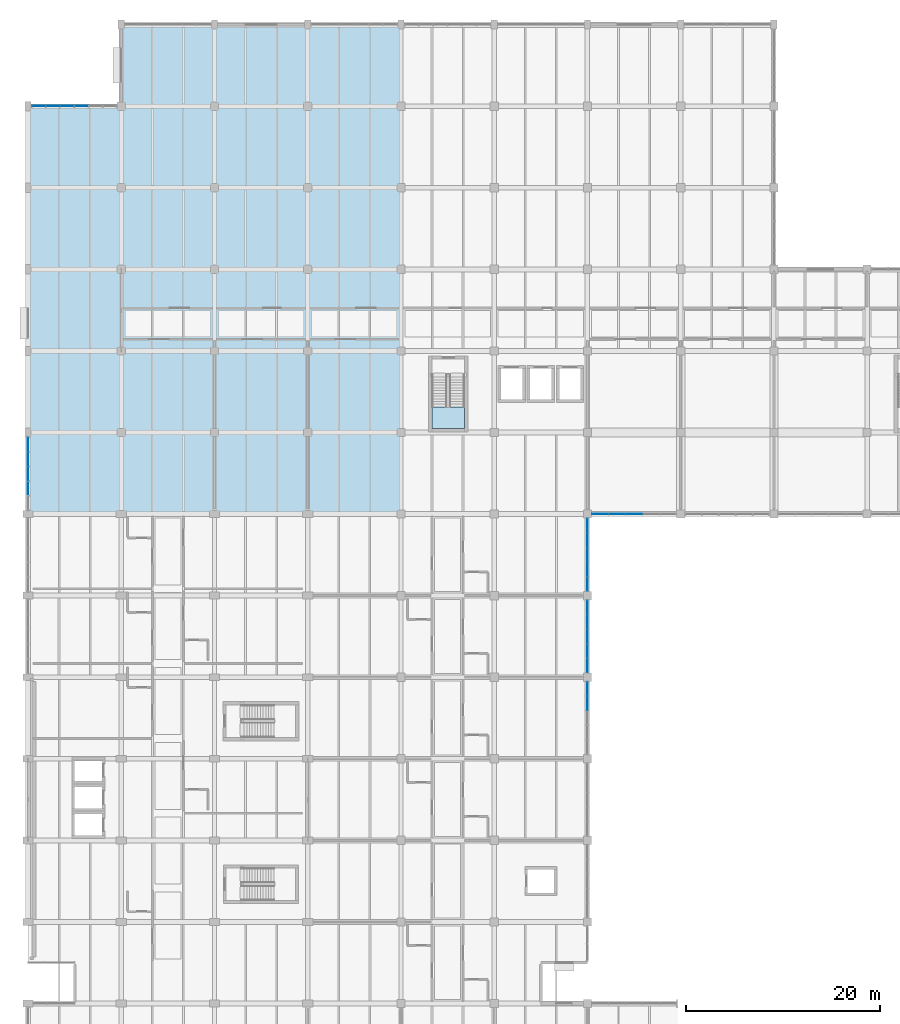
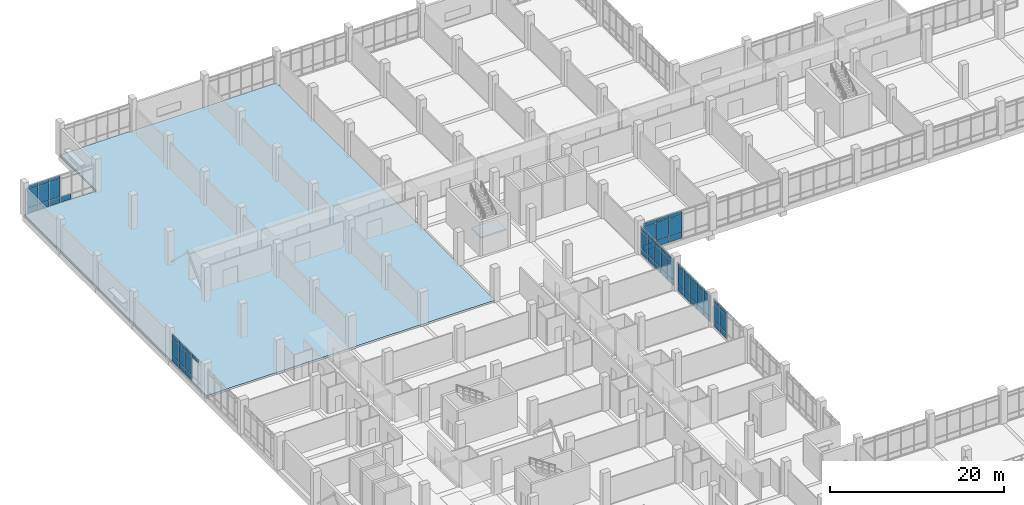
# One storey, part 91 of 152: 65 plates, 2 slabs, 7 elements without a shape of their own.
"""IFC4 building model written with IfcOpenShell, lengths in metres."""

from ifc_helpers import new_model, si_unit, direction, frame, origin, origin_2d, place, context, subcontext, project, spatial, polyline, rectangle, outline, extrude, material, layer, layer_set, type_object, element, aggregate, save


model = new_model("IFC4")

# Units and contexts
model_context = context("Model", 3, precision=1e-05, world=origin(), true_north=direction((0.0, 1.0)))
body_context = subcontext(model_context, "Body", "Model", "MODEL_VIEW")
ifc_project = project(units=[si_unit("LENGTHUNIT", "METRE"), si_unit("AREAUNIT", "SQUARE_METRE"), si_unit("VOLUMEUNIT", "CUBIC_METRE"), si_unit("PLANEANGLEUNIT", "RADIAN"), si_unit("MASSUNIT", "GRAM", prefix="KILO")], contexts=[model_context])

# Site, building, storey
site_placement = place(None, origin())
site = spatial("IfcSite", under=ifc_project, at=site_placement, CompositionType="ELEMENT")
building_placement = place(site_placement, origin())
building = spatial("IfcBuilding", under=site, at=building_placement, Name="Oolite Switchyard Hospital", CompositionType="ELEMENT")
storey_placement = place(building_placement, frame((0.0, 0.0, 5.10009765625)))
storey = spatial("IfcBuildingStorey", under=building, at=storey_placement, Name="L01", CompositionType="ELEMENT", Elevation=5.10009765625)

# Curtain wall, plates
ifc_material_1 = material(Name="Thermally broken aluminum frame with laminated impact glazing", Category="aluminium")
curtain_wall_type_1 = type_object("IfcCurtainWallType", Name="CW-UNIT-96X48", PredefinedType="USERDEFINED", material=ifc_material_1)
curtain_wall_1_placement = place(storey_placement, origin())
curtain_wall_1 = element("IfcCurtainWall", 1, at=curtain_wall_1_placement, inside=storey, type_object=curtain_wall_type_1, Name="L01 Unitised Curtain Wall 151", ObjectType="UNITISED", PredefinedType="USERDEFINED")
ifc_material_2 = material(Name="Insulated fluoropolymer-coated aluminum spandrel panel", Category="aluminium")
ifc_layer_1 = layer(ifc_material_2, 0.054931640625)
ifc_layer_set_1 = layer_set([ifc_layer_1], Name="CW-PNL-SPN55")
plate_type_1 = type_object("IfcPlateType", Name="CW-PNL-SPN55", PredefinedType="CURTAIN_PANEL", material=ifc_layer_set_1)
plate_1_placement = place(storey_placement, frame((1.09375, 126.0, 0.07470703125), z_axis=(0.0, 0.0, 1.0), x_axis=(1.0, 0.0, 0.0)))
plate_1 = element("IfcPlate", 2, at=plate_1_placement, type_object=plate_type_1, Name="CW-02 panel 1.1", PredefinedType="CURTAIN_PANEL", context=body_context, shape_type="SweptSolid", body=[
    extrude(rectangle(XDim=1.357421875, YDim=0.054931640625, at=origin_2d()), origin(), (0.0, 0.0, 1.0), 0.737548828125),
])
plate_2_placement = place(storey_placement, frame((1.09375, 126.0, 0.88720703125), z_axis=(0.0, 0.0, 1.0), x_axis=(1.0, 0.0, 0.0)))
plate_2 = element("IfcPlate", 3, at=plate_2_placement, type_object=plate_type_1, Name="CW-02 panel 1.2", PredefinedType="CURTAIN_PANEL", context=body_context, shape_type="SweptSolid", body=[
    extrude(rectangle(XDim=1.357421875, YDim=0.054931640625, at=origin_2d()), origin(), (0.0, 0.0, 1.0), 2.465087890625),
])
plate_3_placement = place(storey_placement, frame((1.09375, 126.0, 3.427490234375), z_axis=(0.0, 0.0, 1.0), x_axis=(1.0, 0.0, 0.0)))
plate_3 = element("IfcPlate", 4, at=plate_3_placement, type_object=plate_type_1, Name="CW-02 panel 1.3", PredefinedType="CURTAIN_PANEL", context=body_context, shape_type="SweptSolid", body=[
    extrude(rectangle(XDim=1.357421875, YDim=0.054931640625, at=origin_2d()), origin(), (0.0, 0.0, 1.0), 0.4375),
])
plate_4_placement = place(storey_placement, frame((2.544921875, 126.0, 0.07470703125), z_axis=(0.0, 0.0, 1.0), x_axis=(1.0, 0.0, 0.0)))
plate_4 = element("IfcPlate", 5, at=plate_4_placement, type_object=plate_type_1, Name="CW-02 panel 2.1", PredefinedType="CURTAIN_PANEL", context=body_context, shape_type="SweptSolid", body=[
    extrude(rectangle(XDim=1.39501953125, YDim=0.054931640625, at=origin_2d()), origin(), (0.0, 0.0, 1.0), 0.737548828125),
])
plate_5_placement = place(storey_placement, frame((2.544921875, 126.0, 0.88720703125), z_axis=(0.0, 0.0, 1.0), x_axis=(1.0, 0.0, 0.0)))
plate_5 = element("IfcPlate", 6, at=plate_5_placement, type_object=plate_type_1, Name="CW-02 panel 2.2", PredefinedType="CURTAIN_PANEL", context=body_context, shape_type="SweptSolid", body=[
    extrude(rectangle(XDim=1.39501953125, YDim=0.054931640625, at=origin_2d()), origin(), (0.0, 0.0, 1.0), 2.465087890625),
])
plate_6_placement = place(storey_placement, frame((2.544921875, 126.0, 3.427490234375), z_axis=(0.0, 0.0, 1.0), x_axis=(1.0, 0.0, 0.0)))
plate_6 = element("IfcPlate", 7, at=plate_6_placement, type_object=plate_type_1, Name="CW-02 panel 2.3", PredefinedType="CURTAIN_PANEL", context=body_context, shape_type="SweptSolid", body=[
    extrude(rectangle(XDim=1.39501953125, YDim=0.054931640625, at=origin_2d()), origin(), (0.0, 0.0, 1.0), 0.4375),
])
plate_7_placement = place(storey_placement, frame((4.014892578125, 126.0, 0.07470703125), z_axis=(0.0, 0.0, 1.0), x_axis=(1.0, 0.0, 0.0)))
plate_7 = element("IfcPlate", 8, at=plate_7_placement, type_object=plate_type_1, Name="CW-02 panel 3.1", PredefinedType="CURTAIN_PANEL", context=body_context, shape_type="SweptSolid", body=[
    extrude(rectangle(XDim=1.39501953125, YDim=0.054931640625, at=origin_2d()), origin(), (0.0, 0.0, 1.0), 0.737548828125),
])
plate_8_placement = place(storey_placement, frame((4.014892578125, 126.0, 0.88720703125), z_axis=(0.0, 0.0, 1.0), x_axis=(1.0, 0.0, 0.0)))
plate_8 = element("IfcPlate", 9, at=plate_8_placement, type_object=plate_type_1, Name="CW-02 panel 3.2", PredefinedType="CURTAIN_PANEL", context=body_context, shape_type="SweptSolid", body=[
    extrude(rectangle(XDim=1.39501953125, YDim=0.054931640625, at=origin_2d()), origin(), (0.0, 0.0, 1.0), 2.465087890625),
])
plate_9_placement = place(storey_placement, frame((4.014892578125, 126.0, 3.427490234375), z_axis=(0.0, 0.0, 1.0), x_axis=(1.0, 0.0, 0.0)))
plate_9 = element("IfcPlate", 10, at=plate_9_placement, type_object=plate_type_1, Name="CW-02 panel 3.3", PredefinedType="CURTAIN_PANEL", context=body_context, shape_type="SweptSolid", body=[
    extrude(rectangle(XDim=1.39501953125, YDim=0.054931640625, at=origin_2d()), origin(), (0.0, 0.0, 1.0), 0.4375),
])
plate_10_placement = place(storey_placement, frame((5.485107421875, 126.0, 0.07470703125), z_axis=(0.0, 0.0, 1.0), x_axis=(1.0, 0.0, 0.0)))
plate_10 = element("IfcPlate", 11, at=plate_10_placement, type_object=plate_type_1, Name="CW-02 panel 4.1", PredefinedType="CURTAIN_PANEL", context=body_context, shape_type="SweptSolid", body=[
    extrude(rectangle(XDim=1.39501953125, YDim=0.054931640625, at=origin_2d()), origin(), (0.0, 0.0, 1.0), 0.737548828125),
])
aggregate(curtain_wall_1, [plate_1, plate_2, plate_3, plate_4, plate_5, plate_6, plate_7, plate_8, plate_9, plate_10])

curtain_wall_type_2 = type_object("IfcCurtainWallType", Name="CW-UNIT-84X48", PredefinedType="USERDEFINED", material=ifc_material_1)
curtain_wall_2_placement = place(storey_placement, origin())
curtain_wall_2 = element("IfcCurtainWall", 12, at=curtain_wall_2_placement, inside=storey, type_object=curtain_wall_type_2, Name="L01 Unitised Curtain Wall 173", ObjectType="UNITISED", PredefinedType="USERDEFINED")
plate_11_placement = place(storey_placement, frame((57.60009765625, 82.79296875, 0.07470703125), z_axis=(0.0, 0.0, 1.0), x_axis=(0.0, -1.0, 0.0)))
plate_11 = element("IfcPlate", 13, at=plate_11_placement, type_object=plate_type_1, Name="CW-07 panel 1.1", PredefinedType="CURTAIN_PANEL", context=body_context, shape_type="SweptSolid", body=[
    extrude(rectangle(XDim=1.4140625, YDim=0.054931640625, at=origin_2d()), origin(), (0.0, 0.0, 1.0), 0.737548828125),
])
plate_12_placement = place(storey_placement, frame((57.60009765625, 82.79296875, 0.88720703125), z_axis=(0.0, 0.0, 1.0), x_axis=(0.0, -1.0, 0.0)))
plate_12 = element("IfcPlate", 14, at=plate_12_placement, type_object=plate_type_1, Name="CW-07 panel 1.2", PredefinedType="CURTAIN_PANEL", context=body_context, shape_type="SweptSolid", body=[
    extrude(rectangle(XDim=1.4140625, YDim=0.054931640625, at=origin_2d()), origin(), (0.0, 0.0, 1.0), 2.465087890625),
])
plate_13_placement = place(storey_placement, frame((57.60009765625, 82.79296875, 3.427490234375), z_axis=(0.0, 0.0, 1.0), x_axis=(0.0, -1.0, 0.0)))
plate_13 = element("IfcPlate", 15, at=plate_13_placement, type_object=plate_type_1, Name="CW-07 panel 1.3", PredefinedType="CURTAIN_PANEL", context=body_context, shape_type="SweptSolid", body=[
    extrude(rectangle(XDim=1.4140625, YDim=0.054931640625, at=origin_2d()), origin(), (0.0, 0.0, 1.0), 0.4375),
])
plate_14_placement = place(storey_placement, frame((57.60009765625, 81.303955078125, 0.07470703125), z_axis=(0.0, 0.0, 1.0), x_axis=(0.0, -1.0, 0.0)))
plate_14 = element("IfcPlate", 16, at=plate_14_placement, type_object=plate_type_1, Name="CW-07 panel 2.1", PredefinedType="CURTAIN_PANEL", context=body_context, shape_type="SweptSolid", body=[
    extrude(rectangle(XDim=1.444091796875, YDim=0.054931640625, at=origin_2d()), origin(), (0.0, 0.0, 1.0), 0.737548828125),
])
plate_15_placement = place(storey_placement, frame((57.60009765625, 81.303955078125, 0.88720703125), z_axis=(0.0, 0.0, 1.0), x_axis=(0.0, -1.0, 0.0)))
plate_15 = element("IfcPlate", 17, at=plate_15_placement, type_object=plate_type_1, Name="CW-07 panel 2.2", PredefinedType="CURTAIN_PANEL", context=body_context, shape_type="SweptSolid", body=[
    extrude(rectangle(XDim=1.444091796875, YDim=0.054931640625, at=origin_2d()), origin(), (0.0, 0.0, 1.0), 2.465087890625),
])
plate_16_placement = place(storey_placement, frame((57.60009765625, 81.303955078125, 3.427490234375), z_axis=(0.0, 0.0, 1.0), x_axis=(0.0, -1.0, 0.0)))
plate_16 = element("IfcPlate", 18, at=plate_16_placement, type_object=plate_type_1, Name="CW-07 panel 2.3", PredefinedType="CURTAIN_PANEL", context=body_context, shape_type="SweptSolid", body=[
    extrude(rectangle(XDim=1.444091796875, YDim=0.054931640625, at=origin_2d()), origin(), (0.0, 0.0, 1.0), 0.4375),
])
plate_17_placement = place(storey_placement, frame((57.60009765625, 79.800048828125, 0.07470703125), z_axis=(0.0, 0.0, 1.0), x_axis=(0.0, -1.0, 0.0)))
plate_17 = element("IfcPlate", 19, at=plate_17_placement, type_object=plate_type_1, Name="CW-07 panel 3.1", PredefinedType="CURTAIN_PANEL", context=body_context, shape_type="SweptSolid", body=[
    extrude(rectangle(XDim=1.444091796875, YDim=0.054931640625, at=origin_2d()), origin(), (0.0, 0.0, 1.0), 0.737548828125),
])
plate_18_placement = place(storey_placement, frame((57.60009765625, 79.800048828125, 0.88720703125), z_axis=(0.0, 0.0, 1.0), x_axis=(0.0, -1.0, 0.0)))
plate_18 = element("IfcPlate", 20, at=plate_18_placement, type_object=plate_type_1, Name="CW-07 panel 3.2", PredefinedType="CURTAIN_PANEL", context=body_context, shape_type="SweptSolid", body=[
    extrude(rectangle(XDim=1.444091796875, YDim=0.054931640625, at=origin_2d()), origin(), (0.0, 0.0, 1.0), 2.465087890625),
])
plate_19_placement = place(storey_placement, frame((57.60009765625, 79.800048828125, 3.427490234375), z_axis=(0.0, 0.0, 1.0), x_axis=(0.0, -1.0, 0.0)))
plate_19 = element("IfcPlate", 21, at=plate_19_placement, type_object=plate_type_1, Name="CW-07 panel 3.3", PredefinedType="CURTAIN_PANEL", context=body_context, shape_type="SweptSolid", body=[
    extrude(rectangle(XDim=1.444091796875, YDim=0.054931640625, at=origin_2d()), origin(), (0.0, 0.0, 1.0), 0.4375),
])
plate_20_placement = place(storey_placement, frame((57.60009765625, 78.2958984375, 0.07470703125), z_axis=(0.0, 0.0, 1.0), x_axis=(0.0, -1.0, 0.0)))
plate_20 = element("IfcPlate", 22, at=plate_20_placement, type_object=plate_type_1, Name="CW-07 panel 4.1", PredefinedType="CURTAIN_PANEL", context=body_context, shape_type="SweptSolid", body=[
    extrude(rectangle(XDim=1.444091796875, YDim=0.054931640625, at=origin_2d()), origin(), (0.0, 0.0, 1.0), 0.737548828125),
])
plate_21_placement = place(storey_placement, frame((57.60009765625, 78.2958984375, 0.88720703125), z_axis=(0.0, 0.0, 1.0), x_axis=(0.0, -1.0, 0.0)))
plate_21 = element("IfcPlate", 23, at=plate_21_placement, type_object=plate_type_1, Name="CW-07 panel 4.2", PredefinedType="CURTAIN_PANEL", context=body_context, shape_type="SweptSolid", body=[
    extrude(rectangle(XDim=1.444091796875, YDim=0.054931640625, at=origin_2d()), origin(), (0.0, 0.0, 1.0), 2.465087890625),
])
plate_22_placement = place(storey_placement, frame((57.60009765625, 78.2958984375, 3.427490234375), z_axis=(0.0, 0.0, 1.0), x_axis=(0.0, -1.0, 0.0)))
plate_22 = element("IfcPlate", 24, at=plate_22_placement, type_object=plate_type_1, Name="CW-07 panel 4.3", PredefinedType="CURTAIN_PANEL", context=body_context, shape_type="SweptSolid", body=[
    extrude(rectangle(XDim=1.444091796875, YDim=0.054931640625, at=origin_2d()), origin(), (0.0, 0.0, 1.0), 0.4375),
])
plate_23_placement = place(storey_placement, frame((57.60009765625, 76.806884765625, 0.07470703125), z_axis=(0.0, 0.0, 1.0), x_axis=(0.0, -1.0, 0.0)))
plate_23 = element("IfcPlate", 25, at=plate_23_placement, type_object=plate_type_1, Name="CW-07 panel 5.1", PredefinedType="CURTAIN_PANEL", context=body_context, shape_type="SweptSolid", body=[
    extrude(rectangle(XDim=1.4140625, YDim=0.054931640625, at=origin_2d()), origin(), (0.0, 0.0, 1.0), 0.737548828125),
])
plate_24_placement = place(storey_placement, frame((57.60009765625, 76.806884765625, 0.88720703125), z_axis=(0.0, 0.0, 1.0), x_axis=(0.0, -1.0, 0.0)))
plate_24 = element("IfcPlate", 26, at=plate_24_placement, type_object=plate_type_1, Name="CW-07 panel 5.2", PredefinedType="CURTAIN_PANEL", context=body_context, shape_type="SweptSolid", body=[
    extrude(rectangle(XDim=1.4140625, YDim=0.054931640625, at=origin_2d()), origin(), (0.0, 0.0, 1.0), 2.465087890625),
])
plate_25_placement = place(storey_placement, frame((57.60009765625, 76.806884765625, 3.427490234375), z_axis=(0.0, 0.0, 1.0), x_axis=(0.0, -1.0, 0.0)))
plate_25 = element("IfcPlate", 27, at=plate_25_placement, type_object=plate_type_1, Name="CW-07 panel 5.3", PredefinedType="CURTAIN_PANEL", context=body_context, shape_type="SweptSolid", body=[
    extrude(rectangle(XDim=1.4140625, YDim=0.054931640625, at=origin_2d()), origin(), (0.0, 0.0, 1.0), 0.4375),
])
aggregate(curtain_wall_2, [plate_11, plate_12, plate_13, plate_14, plate_15, plate_16, plate_17, plate_18, plate_19, plate_20, plate_21, plate_22, plate_23, plate_24, plate_25])

curtain_wall_3_placement = place(storey_placement, origin())
curtain_wall_3 = element("IfcCurtainWall", 28, at=curtain_wall_3_placement, inside=storey, type_object=curtain_wall_type_1, Name="L01 Unitised Curtain Wall 138", ObjectType="UNITISED", PredefinedType="USERDEFINED")
ifc_layer_2 = layer(ifc_material_2, 0.070068359375)
ifc_layer_set_2 = layer_set([ifc_layer_2], Name="CW-PNL-SPN70")
plate_type_2 = type_object("IfcPlateType", Name="CW-PNL-SPN70", PredefinedType="CURTAIN_PANEL", material=ifc_layer_set_2)
plate_26_placement = place(storey_placement, frame((62.39990234375, 84.0, 0.06005859375), z_axis=(0.0, 0.0, 1.0), x_axis=(-1.0, 0.0, 0.0)))
plate_26 = element("IfcPlate", 29, at=plate_26_placement, type_object=plate_type_2, Name="CW-02 panel 3.1", PredefinedType="CURTAIN_PANEL", context=body_context, shape_type="SweptSolid", body=[
    extrude(rectangle(XDim=1.674072265625, YDim=0.070068359375, at=origin_2d()), origin(), (0.0, 0.0, 1.0), 0.760009765625),
])
plate_27_placement = place(storey_placement, frame((62.39990234375, 84.0, 0.8798828125), z_axis=(0.0, 0.0, 1.0), x_axis=(-1.0, 0.0, 0.0)))
plate_27 = element("IfcPlate", 30, at=plate_27_placement, type_object=plate_type_2, Name="CW-02 panel 3.2", PredefinedType="CURTAIN_PANEL", context=body_context, shape_type="SweptSolid", body=[
    extrude(rectangle(XDim=1.674072265625, YDim=0.070068359375, at=origin_2d()), origin(), (0.0, 0.0, 1.0), 2.47998046875),
])
plate_28_placement = place(storey_placement, frame((62.39990234375, 84.0, 3.419921875), z_axis=(0.0, 0.0, 1.0), x_axis=(-1.0, 0.0, 0.0)))
plate_28 = element("IfcPlate", 31, at=plate_28_placement, type_object=plate_type_2, Name="CW-02 panel 3.3", PredefinedType="CURTAIN_PANEL", context=body_context, shape_type="SweptSolid", body=[
    extrude(rectangle(XDim=1.674072265625, YDim=0.070068359375, at=origin_2d()), origin(), (0.0, 0.0, 1.0), 0.4599609375),
])
plate_29_placement = place(storey_placement, frame((60.656005859375, 84.0, 0.06005859375), z_axis=(0.0, 0.0, 1.0), x_axis=(-1.0, 0.0, 0.0)))
plate_29 = element("IfcPlate", 32, at=plate_29_placement, type_object=plate_type_2, Name="CW-02 panel 4.1", PredefinedType="CURTAIN_PANEL", context=body_context, shape_type="SweptSolid", body=[
    extrude(rectangle(XDim=1.674072265625, YDim=0.070068359375, at=origin_2d()), origin(), (0.0, 0.0, 1.0), 0.760009765625),
])
plate_30_placement = place(storey_placement, frame((60.656005859375, 84.0, 0.8798828125), z_axis=(0.0, 0.0, 1.0), x_axis=(-1.0, 0.0, 0.0)))
plate_30 = element("IfcPlate", 33, at=plate_30_placement, type_object=plate_type_2, Name="CW-02 panel 4.2", PredefinedType="CURTAIN_PANEL", context=body_context, shape_type="SweptSolid", body=[
    extrude(rectangle(XDim=1.674072265625, YDim=0.070068359375, at=origin_2d()), origin(), (0.0, 0.0, 1.0), 2.47998046875),
])
plate_31_placement = place(storey_placement, frame((60.656005859375, 84.0, 3.419921875), z_axis=(0.0, 0.0, 1.0), x_axis=(-1.0, 0.0, 0.0)))
plate_31 = element("IfcPlate", 34, at=plate_31_placement, type_object=plate_type_2, Name="CW-02 panel 4.3", PredefinedType="CURTAIN_PANEL", context=body_context, shape_type="SweptSolid", body=[
    extrude(rectangle(XDim=1.674072265625, YDim=0.070068359375, at=origin_2d()), origin(), (0.0, 0.0, 1.0), 0.4599609375),
])
plate_32_placement = place(storey_placement, frame((58.929443359375, 84.0, 0.06005859375), z_axis=(0.0, 0.0, 1.0), x_axis=(-1.0, 0.0, 0.0)))
plate_32 = element("IfcPlate", 35, at=plate_32_placement, type_object=plate_type_2, Name="CW-02 panel 5.1", PredefinedType="CURTAIN_PANEL", context=body_context, shape_type="SweptSolid", body=[
    extrude(rectangle(XDim=1.638916015625, YDim=0.070068359375, at=origin_2d()), origin(), (0.0, 0.0, 1.0), 0.760009765625),
])
plate_33_placement = place(storey_placement, frame((58.929443359375, 84.0, 0.8798828125), z_axis=(0.0, 0.0, 1.0), x_axis=(-1.0, 0.0, 0.0)))
plate_33 = element("IfcPlate", 36, at=plate_33_placement, type_object=plate_type_2, Name="CW-02 panel 5.2", PredefinedType="CURTAIN_PANEL", context=body_context, shape_type="SweptSolid", body=[
    extrude(rectangle(XDim=1.638916015625, YDim=0.070068359375, at=origin_2d()), origin(), (0.0, 0.0, 1.0), 2.47998046875),
])
plate_34_placement = place(storey_placement, frame((58.929443359375, 84.0, 3.419921875), z_axis=(0.0, 0.0, 1.0), x_axis=(-1.0, 0.0, 0.0)))
plate_34 = element("IfcPlate", 37, at=plate_34_placement, type_object=plate_type_2, Name="CW-02 panel 5.3", PredefinedType="CURTAIN_PANEL", context=body_context, shape_type="SweptSolid", body=[
    extrude(rectangle(XDim=1.638916015625, YDim=0.070068359375, at=origin_2d()), origin(), (0.0, 0.0, 1.0), 0.4599609375),
])
aggregate(curtain_wall_3, [plate_26, plate_27, plate_28, plate_29, plate_30, plate_31, plate_32, plate_33, plate_34])

curtain_wall_4_placement = place(storey_placement, origin())
curtain_wall_4 = element("IfcCurtainWall", 38, at=curtain_wall_4_placement, inside=storey, type_object=curtain_wall_type_2, Name="L01 Unitised Curtain Wall 169", ObjectType="UNITISED", PredefinedType="USERDEFINED")
plate_35_placement = place(storey_placement, frame((57.60009765625, 65.9892578125, 0.07470703125), z_axis=(0.0, 0.0, 1.0), x_axis=(0.0, -1.0, 0.0)))
plate_35 = element("IfcPlate", 39, at=plate_35_placement, type_object=plate_type_2, Name="CW-07 panel 1.1", PredefinedType="CURTAIN_PANEL", context=body_context, shape_type="SweptSolid", body=[
    extrude(rectangle(XDim=1.3916015625, YDim=0.070068359375, at=origin_2d()), origin(), (0.0, 0.0, 1.0), 0.737548828125),
])
plate_36_placement = place(storey_placement, frame((57.60009765625, 65.9892578125, 0.88720703125), z_axis=(0.0, 0.0, 1.0), x_axis=(0.0, -1.0, 0.0)))
plate_36 = element("IfcPlate", 40, at=plate_36_placement, type_object=plate_type_2, Name="CW-07 panel 1.2", PredefinedType="CURTAIN_PANEL", context=body_context, shape_type="SweptSolid", body=[
    extrude(rectangle(XDim=1.3916015625, YDim=0.070068359375, at=origin_2d()), origin(), (0.0, 0.0, 1.0), 2.465087890625),
])
plate_37_placement = place(storey_placement, frame((57.60009765625, 65.9892578125, 3.427490234375), z_axis=(0.0, 0.0, 1.0), x_axis=(0.0, -1.0, 0.0)))
plate_37 = element("IfcPlate", 41, at=plate_37_placement, type_object=plate_type_2, Name="CW-07 panel 1.3", PredefinedType="CURTAIN_PANEL", context=body_context, shape_type="SweptSolid", body=[
    extrude(rectangle(XDim=1.3916015625, YDim=0.070068359375, at=origin_2d()), origin(), (0.0, 0.0, 1.0), 0.4375),
])
plate_38_placement = place(storey_placement, frame((57.60009765625, 64.50390625, 0.07470703125), z_axis=(0.0, 0.0, 1.0), x_axis=(0.0, -1.0, 0.0)))
plate_38 = element("IfcPlate", 42, at=plate_38_placement, type_object=plate_type_2, Name="CW-07 panel 2.1", PredefinedType="CURTAIN_PANEL", context=body_context, shape_type="SweptSolid", body=[
    extrude(rectangle(XDim=1.428955078125, YDim=0.070068359375, at=origin_2d()), origin(), (0.0, 0.0, 1.0), 0.737548828125),
])
plate_39_placement = place(storey_placement, frame((57.60009765625, 64.50390625, 0.88720703125), z_axis=(0.0, 0.0, 1.0), x_axis=(0.0, -1.0, 0.0)))
plate_39 = element("IfcPlate", 43, at=plate_39_placement, type_object=plate_type_2, Name="CW-07 panel 2.2", PredefinedType="CURTAIN_PANEL", context=body_context, shape_type="SweptSolid", body=[
    extrude(rectangle(XDim=1.428955078125, YDim=0.070068359375, at=origin_2d()), origin(), (0.0, 0.0, 1.0), 2.465087890625),
])
plate_40_placement = place(storey_placement, frame((57.60009765625, 64.50390625, 3.427490234375), z_axis=(0.0, 0.0, 1.0), x_axis=(0.0, -1.0, 0.0)))
plate_40 = element("IfcPlate", 44, at=plate_40_placement, type_object=plate_type_2, Name="CW-07 panel 2.3", PredefinedType="CURTAIN_PANEL", context=body_context, shape_type="SweptSolid", body=[
    extrude(rectangle(XDim=1.428955078125, YDim=0.070068359375, at=origin_2d()), origin(), (0.0, 0.0, 1.0), 0.4375),
])
aggregate(curtain_wall_4, [plate_35, plate_36, plate_37, plate_38, plate_39, plate_40])

curtain_wall_5_placement = place(storey_placement, origin())
curtain_wall_5 = element("IfcCurtainWall", 45, at=curtain_wall_5_placement, inside=storey, type_object=curtain_wall_type_2, Name="L01 Unitised Curtain Wall 174", ObjectType="UNITISED", PredefinedType="USERDEFINED")
plate_41_placement = place(storey_placement, frame((57.60009765625, 74.390380859375, 0.06005859375), z_axis=(0.0, 0.0, 1.0), x_axis=(0.0, -1.0, 0.0)))
plate_41 = element("IfcPlate", 46, at=plate_41_placement, type_object=plate_type_2, Name="CW-07 panel 1.1", PredefinedType="CURTAIN_PANEL", context=body_context, shape_type="SweptSolid", body=[
    extrude(rectangle(XDim=1.39892578125, YDim=0.070068359375, at=origin_2d()), origin(), (0.0, 0.0, 1.0), 0.760009765625),
])
plate_42_placement = place(storey_placement, frame((57.60009765625, 74.390380859375, 0.8798828125), z_axis=(0.0, 0.0, 1.0), x_axis=(0.0, -1.0, 0.0)))
plate_42 = element("IfcPlate", 47, at=plate_42_placement, type_object=plate_type_2, Name="CW-07 panel 1.2", PredefinedType="CURTAIN_PANEL", context=body_context, shape_type="SweptSolid", body=[
    extrude(rectangle(XDim=1.39892578125, YDim=0.070068359375, at=origin_2d()), origin(), (0.0, 0.0, 1.0), 2.47998046875),
])
plate_43_placement = place(storey_placement, frame((57.60009765625, 74.390380859375, 3.419921875), z_axis=(0.0, 0.0, 1.0), x_axis=(0.0, -1.0, 0.0)))
plate_43 = element("IfcPlate", 48, at=plate_43_placement, type_object=plate_type_2, Name="CW-07 panel 1.3", PredefinedType="CURTAIN_PANEL", context=body_context, shape_type="SweptSolid", body=[
    extrude(rectangle(XDim=1.39892578125, YDim=0.070068359375, at=origin_2d()), origin(), (0.0, 0.0, 1.0), 0.4599609375),
])
plate_44_placement = place(storey_placement, frame((57.60009765625, 72.904052734375, 0.06005859375), z_axis=(0.0, 0.0, 1.0), x_axis=(0.0, -1.0, 0.0)))
plate_44 = element("IfcPlate", 49, at=plate_44_placement, type_object=plate_type_2, Name="CW-07 panel 2.1", PredefinedType="CURTAIN_PANEL", context=body_context, shape_type="SweptSolid", body=[
    extrude(rectangle(XDim=1.43408203125, YDim=0.070068359375, at=origin_2d()), origin(), (0.0, 0.0, 1.0), 0.760009765625),
])
plate_45_placement = place(storey_placement, frame((57.60009765625, 72.904052734375, 0.8798828125), z_axis=(0.0, 0.0, 1.0), x_axis=(0.0, -1.0, 0.0)))
plate_45 = element("IfcPlate", 50, at=plate_45_placement, type_object=plate_type_2, Name="CW-07 panel 2.2", PredefinedType="CURTAIN_PANEL", context=body_context, shape_type="SweptSolid", body=[
    extrude(rectangle(XDim=1.43408203125, YDim=0.070068359375, at=origin_2d()), origin(), (0.0, 0.0, 1.0), 2.47998046875),
])
plate_46_placement = place(storey_placement, frame((57.60009765625, 72.904052734375, 3.419921875), z_axis=(0.0, 0.0, 1.0), x_axis=(0.0, -1.0, 0.0)))
plate_46 = element("IfcPlate", 51, at=plate_46_placement, type_object=plate_type_2, Name="CW-07 panel 2.3", PredefinedType="CURTAIN_PANEL", context=body_context, shape_type="SweptSolid", body=[
    extrude(rectangle(XDim=1.43408203125, YDim=0.070068359375, at=origin_2d()), origin(), (0.0, 0.0, 1.0), 0.4599609375),
])
plate_47_placement = place(storey_placement, frame((57.60009765625, 71.39990234375, 0.06005859375), z_axis=(0.0, 0.0, 1.0), x_axis=(0.0, -1.0, 0.0)))
plate_47 = element("IfcPlate", 52, at=plate_47_placement, type_object=plate_type_2, Name="CW-07 panel 3.1", PredefinedType="CURTAIN_PANEL", context=body_context, shape_type="SweptSolid", body=[
    extrude(rectangle(XDim=1.43408203125, YDim=0.070068359375, at=origin_2d()), origin(), (0.0, 0.0, 1.0), 0.760009765625),
])
plate_48_placement = place(storey_placement, frame((57.60009765625, 71.39990234375, 0.8798828125), z_axis=(0.0, 0.0, 1.0), x_axis=(0.0, -1.0, 0.0)))
plate_48 = element("IfcPlate", 53, at=plate_48_placement, type_object=plate_type_2, Name="CW-07 panel 3.2", PredefinedType="CURTAIN_PANEL", context=body_context, shape_type="SweptSolid", body=[
    extrude(rectangle(XDim=1.43408203125, YDim=0.070068359375, at=origin_2d()), origin(), (0.0, 0.0, 1.0), 2.47998046875),
])
plate_49_placement = place(storey_placement, frame((57.60009765625, 71.39990234375, 3.419921875), z_axis=(0.0, 0.0, 1.0), x_axis=(0.0, -1.0, 0.0)))
plate_49 = element("IfcPlate", 54, at=plate_49_placement, type_object=plate_type_2, Name="CW-07 panel 3.3", PredefinedType="CURTAIN_PANEL", context=body_context, shape_type="SweptSolid", body=[
    extrude(rectangle(XDim=1.43408203125, YDim=0.070068359375, at=origin_2d()), origin(), (0.0, 0.0, 1.0), 0.4599609375),
])
plate_50_placement = place(storey_placement, frame((57.60009765625, 69.89599609375, 0.06005859375), z_axis=(0.0, 0.0, 1.0), x_axis=(0.0, -1.0, 0.0)))
plate_50 = element("IfcPlate", 55, at=plate_50_placement, type_object=plate_type_2, Name="CW-07 panel 4.1", PredefinedType="CURTAIN_PANEL", context=body_context, shape_type="SweptSolid", body=[
    extrude(rectangle(XDim=1.43408203125, YDim=0.070068359375, at=origin_2d()), origin(), (0.0, 0.0, 1.0), 0.760009765625),
])
plate_51_placement = place(storey_placement, frame((57.60009765625, 69.89599609375, 0.8798828125), z_axis=(0.0, 0.0, 1.0), x_axis=(0.0, -1.0, 0.0)))
plate_51 = element("IfcPlate", 56, at=plate_51_placement, type_object=plate_type_2, Name="CW-07 panel 4.2", PredefinedType="CURTAIN_PANEL", context=body_context, shape_type="SweptSolid", body=[
    extrude(rectangle(XDim=1.43408203125, YDim=0.070068359375, at=origin_2d()), origin(), (0.0, 0.0, 1.0), 2.47998046875),
])
plate_52_placement = place(storey_placement, frame((57.60009765625, 69.89599609375, 3.419921875), z_axis=(0.0, 0.0, 1.0), x_axis=(0.0, -1.0, 0.0)))
plate_52 = element("IfcPlate", 57, at=plate_52_placement, type_object=plate_type_2, Name="CW-07 panel 4.3", PredefinedType="CURTAIN_PANEL", context=body_context, shape_type="SweptSolid", body=[
    extrude(rectangle(XDim=1.43408203125, YDim=0.070068359375, at=origin_2d()), origin(), (0.0, 0.0, 1.0), 0.4599609375),
])
plate_53_placement = place(storey_placement, frame((57.60009765625, 68.409423828125, 0.06005859375), z_axis=(0.0, 0.0, 1.0), x_axis=(0.0, -1.0, 0.0)))
plate_53 = element("IfcPlate", 58, at=plate_53_placement, type_object=plate_type_2, Name="CW-07 panel 5.1", PredefinedType="CURTAIN_PANEL", context=body_context, shape_type="SweptSolid", body=[
    extrude(rectangle(XDim=1.39892578125, YDim=0.070068359375, at=origin_2d()), origin(), (0.0, 0.0, 1.0), 0.760009765625),
])
plate_54_placement = place(storey_placement, frame((57.60009765625, 68.409423828125, 0.8798828125), z_axis=(0.0, 0.0, 1.0), x_axis=(0.0, -1.0, 0.0)))
plate_54 = element("IfcPlate", 59, at=plate_54_placement, type_object=plate_type_2, Name="CW-07 panel 5.2", PredefinedType="CURTAIN_PANEL", context=body_context, shape_type="SweptSolid", body=[
    extrude(rectangle(XDim=1.39892578125, YDim=0.070068359375, at=origin_2d()), origin(), (0.0, 0.0, 1.0), 2.47998046875),
])
plate_55_placement = place(storey_placement, frame((57.60009765625, 68.409423828125, 3.419921875), z_axis=(0.0, 0.0, 1.0), x_axis=(0.0, -1.0, 0.0)))
plate_55 = element("IfcPlate", 60, at=plate_55_placement, type_object=plate_type_2, Name="CW-07 panel 5.3", PredefinedType="CURTAIN_PANEL", context=body_context, shape_type="SweptSolid", body=[
    extrude(rectangle(XDim=1.39892578125, YDim=0.070068359375, at=origin_2d()), origin(), (0.0, 0.0, 1.0), 0.4599609375),
])
aggregate(curtain_wall_5, [plate_41, plate_42, plate_43, plate_44, plate_45, plate_46, plate_47, plate_48, plate_49, plate_50, plate_51, plate_52, plate_53, plate_54, plate_55])

curtain_wall_6_placement = place(storey_placement, origin())
curtain_wall_6 = element("IfcCurtainWall", 61, at=curtain_wall_6_placement, inside=storey, type_object=curtain_wall_type_2, Name="L01 Unitised Curtain Wall 166", ObjectType="UNITISED", PredefinedType="USERDEFINED")
ifc_material_3 = material(Name="Laminated hurricane-impact insulated glazing unit", Category="glass")
ifc_layer_3 = layer(ifc_material_3, 0.031982421875)
ifc_layer_set_3 = layer_set([ifc_layer_3], Name="CW-PNL-VIS32")
plate_type_3 = type_object("IfcPlateType", Name="CW-PNL-VIS32", PredefinedType="CURTAIN_PANEL", material=ifc_layer_set_3)
plate_56_placement = place(storey_placement, frame((0.0, 86.62841796875, 3.419921875), z_axis=(0.0, 0.0, 1.0), x_axis=(0.0, 1.0, 0.0)))
plate_56 = element("IfcPlate", 62, at=plate_56_placement, type_object=plate_type_3, Name="CW-07 panel 2.3", PredefinedType="CURTAIN_PANEL", context=body_context, shape_type="SweptSolid", body=[
    extrude(rectangle(XDim=1.43408203125, YDim=0.031982421875, at=origin_2d()), origin(), (0.0, 0.0, 1.0), 0.4599609375),
])
plate_57_placement = place(storey_placement, frame((0.0, 88.137451171875, 0.06005859375), z_axis=(0.0, 0.0, 1.0), x_axis=(0.0, 1.0, 0.0)))
plate_57 = element("IfcPlate", 63, at=plate_57_placement, type_object=plate_type_3, Name="CW-07 panel 3.1", PredefinedType="CURTAIN_PANEL", context=body_context, shape_type="SweptSolid", body=[
    extrude(rectangle(XDim=1.43408203125, YDim=0.031982421875, at=origin_2d()), origin(), (0.0, 0.0, 1.0), 0.760009765625),
])
plate_58_placement = place(storey_placement, frame((0.0, 88.137451171875, 0.8798828125), z_axis=(0.0, 0.0, 1.0), x_axis=(0.0, 1.0, 0.0)))
plate_58 = element("IfcPlate", 64, at=plate_58_placement, type_object=plate_type_3, Name="CW-07 panel 3.2", PredefinedType="CURTAIN_PANEL", context=body_context, shape_type="SweptSolid", body=[
    extrude(rectangle(XDim=1.43408203125, YDim=0.031982421875, at=origin_2d()), origin(), (0.0, 0.0, 1.0), 2.47998046875),
])
plate_59_placement = place(storey_placement, frame((0.0, 88.137451171875, 3.419921875), z_axis=(0.0, 0.0, 1.0), x_axis=(0.0, 1.0, 0.0)))
plate_59 = element("IfcPlate", 65, at=plate_59_placement, type_object=plate_type_3, Name="CW-07 panel 3.3", PredefinedType="CURTAIN_PANEL", context=body_context, shape_type="SweptSolid", body=[
    extrude(rectangle(XDim=1.43408203125, YDim=0.031982421875, at=origin_2d()), origin(), (0.0, 0.0, 1.0), 0.4599609375),
])
plate_60_placement = place(storey_placement, frame((0.0, 89.646484375, 0.06005859375), z_axis=(0.0, 0.0, 1.0), x_axis=(0.0, 1.0, 0.0)))
plate_60 = element("IfcPlate", 66, at=plate_60_placement, type_object=plate_type_3, Name="CW-07 panel 4.1", PredefinedType="CURTAIN_PANEL", context=body_context, shape_type="SweptSolid", body=[
    extrude(rectangle(XDim=1.43408203125, YDim=0.031982421875, at=origin_2d()), origin(), (0.0, 0.0, 1.0), 0.760009765625),
])
plate_61_placement = place(storey_placement, frame((0.0, 89.646484375, 0.8798828125), z_axis=(0.0, 0.0, 1.0), x_axis=(0.0, 1.0, 0.0)))
plate_61 = element("IfcPlate", 67, at=plate_61_placement, type_object=plate_type_3, Name="CW-07 panel 4.2", PredefinedType="CURTAIN_PANEL", context=body_context, shape_type="SweptSolid", body=[
    extrude(rectangle(XDim=1.43408203125, YDim=0.031982421875, at=origin_2d()), origin(), (0.0, 0.0, 1.0), 2.47998046875),
])
plate_62_placement = place(storey_placement, frame((0.0, 89.646484375, 3.419921875), z_axis=(0.0, 0.0, 1.0), x_axis=(0.0, 1.0, 0.0)))
plate_62 = element("IfcPlate", 68, at=plate_62_placement, type_object=plate_type_3, Name="CW-07 panel 4.3", PredefinedType="CURTAIN_PANEL", context=body_context, shape_type="SweptSolid", body=[
    extrude(rectangle(XDim=1.43408203125, YDim=0.031982421875, at=origin_2d()), origin(), (0.0, 0.0, 1.0), 0.4599609375),
])
plate_63_placement = place(storey_placement, frame((0.0, 91.13671875, 0.06005859375), z_axis=(0.0, 0.0, 1.0), x_axis=(0.0, 1.0, 0.0)))
plate_63 = element("IfcPlate", 69, at=plate_63_placement, type_object=plate_type_3, Name="CW-07 panel 5.1", PredefinedType="CURTAIN_PANEL", context=body_context, shape_type="SweptSolid", body=[
    extrude(rectangle(XDim=1.396484375, YDim=0.031982421875, at=origin_2d()), origin(), (0.0, 0.0, 1.0), 0.760009765625),
])
plate_64_placement = place(storey_placement, frame((0.0, 91.13671875, 0.8798828125), z_axis=(0.0, 0.0, 1.0), x_axis=(0.0, 1.0, 0.0)))
plate_64 = element("IfcPlate", 70, at=plate_64_placement, type_object=plate_type_3, Name="CW-07 panel 5.2", PredefinedType="CURTAIN_PANEL", context=body_context, shape_type="SweptSolid", body=[
    extrude(rectangle(XDim=1.396484375, YDim=0.031982421875, at=origin_2d()), origin(), (0.0, 0.0, 1.0), 2.47998046875),
])
plate_65_placement = place(storey_placement, frame((0.0, 91.13671875, 3.419921875), z_axis=(0.0, 0.0, 1.0), x_axis=(0.0, 1.0, 0.0)))
plate_65 = element("IfcPlate", 71, at=plate_65_placement, type_object=plate_type_3, Name="CW-07 panel 5.3", PredefinedType="CURTAIN_PANEL", context=body_context, shape_type="SweptSolid", body=[
    extrude(rectangle(XDim=1.396484375, YDim=0.031982421875, at=origin_2d()), origin(), (0.0, 0.0, 1.0), 0.4599609375),
])
aggregate(curtain_wall_6, [plate_56, plate_57, plate_58, plate_59, plate_60, plate_61, plate_62, plate_63, plate_64, plate_65])

# Slab
ifc_material_4 = material(Name="Concrete C40/50", Category="concrete")
ifc_layer_4 = layer(ifc_material_4, 0.300048828125)
ifc_layer_set_4 = layer_set([ifc_layer_4], Name="SLB-FLR-300")
slab_type_1 = type_object("IfcSlabType", Name="SLB-FLR-300", PredefinedType="FLOOR", material=ifc_layer_set_4)
slab_1_placement = place(storey_placement, frame((0.0, 0.0, -0.300048828125)))
element("IfcSlab", 72, at=slab_1_placement, inside=storey, type_object=slab_type_1, Name="L01 V3 Slab V3A", PredefinedType="FLOOR", context=body_context, shape_type="SweptSolid", body=[
    extrude(outline(polyline([(0.0, 84.0), (38.39990234375, 84.0), (38.39990234375, 134.39990234375), (9.60009765625, 134.39990234375), (9.60009765625, 126.0), (0.0, 126.0), (0.0, 84.0)])), origin(), (0.0, 0.0, 1.0), 0.300048828125),
])

# Stair, slab
stair_type = type_object("IfcStairType", Name="STR-DL-156-R26", PredefinedType="HALF_TURN_STAIR", material=ifc_material_4)
stair_placement = place(storey_placement, origin())
stair = element("IfcStair", 73, at=stair_placement, inside=storey, type_object=stair_type, Name="L01 Exit Stair ST-07", PredefinedType="HALF_TURN_STAIR")
ifc_layer_5 = layer(ifc_material_4, 0.199951171875)
ifc_layer_set_5 = layer_set([ifc_layer_5], Name="SLB-LND-200")
slab_type_2 = type_object("IfcSlabType", Name="SLB-LND-200", PredefinedType="LANDING", material=ifc_layer_set_5)
slab_2_placement = place(storey_placement, frame((0.0, 0.0, 2.199951171875)))
slab_2 = element("IfcSlab", 74, at=slab_2_placement, type_object=slab_type_2, Name="ST-07 landing 1", PredefinedType="LANDING", context=body_context, shape_type="SweptSolid", body=[
    extrude(outline(polyline([(41.60009765625, 95.030029296875), (41.60009765625, 92.800048828125), (44.9599609375, 92.800048828125), (44.9599609375, 95.030029296875), (41.60009765625, 95.030029296875)])), origin(), (0.0, 0.0, 1.0), 0.199951171875),
])
aggregate(stair, [slab_2])

save(model, "model.ifc")
